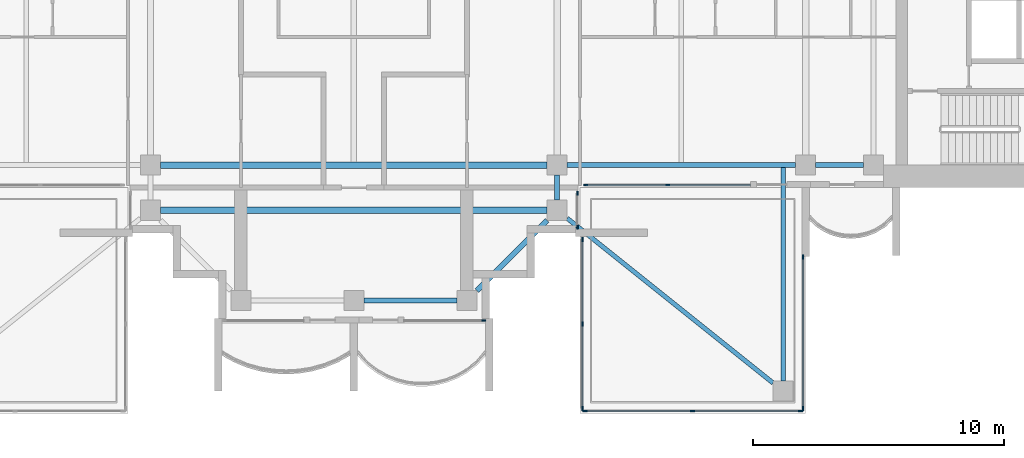
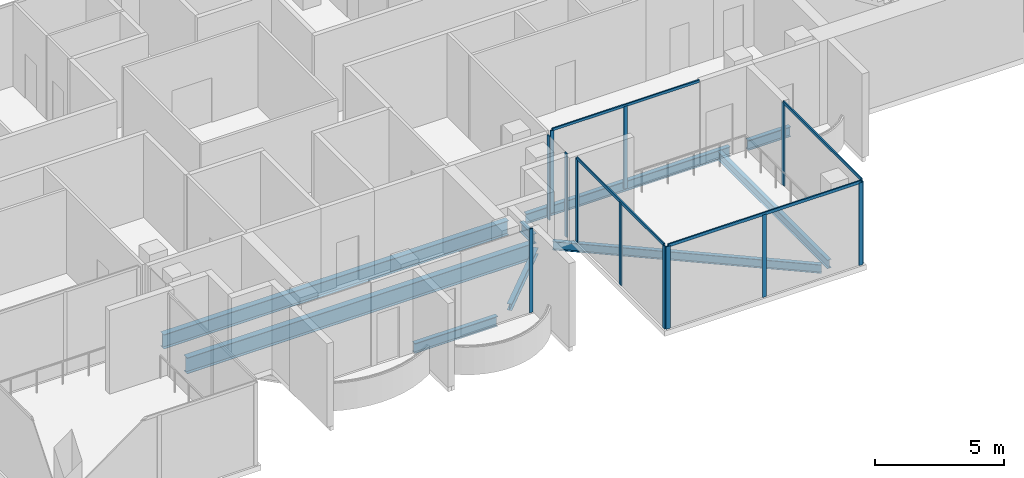
# One storey, part 3 of 16: 17 members, 9 beams, 6 elements without a shape of their own.
"""IFC4 building model written with IfcOpenShell, lengths in metres."""

from ifc_helpers import new_model, si_unit, direction, frame, origin, origin_2d, place, context, subcontext, project, spatial, rectangle, i_section, extrude, material, material_profile, profile_set, type_object, element, aggregate, save


model = new_model("IFC4")

# Units and contexts
model_context = context("Model", 3, precision=1e-05, world=origin(), true_north=direction((0.0, 1.0)))
body_context = subcontext(model_context, "Body", "Model", "MODEL_VIEW")
ifc_project = project(units=[si_unit("LENGTHUNIT", "METRE"), si_unit("AREAUNIT", "SQUARE_METRE"), si_unit("VOLUMEUNIT", "CUBIC_METRE"), si_unit("PLANEANGLEUNIT", "RADIAN"), si_unit("MASSUNIT", "GRAM", prefix="KILO")], contexts=[model_context])

# Site, building, storey
site_placement = place(None, origin())
site = spatial("IfcSite", under=ifc_project, at=site_placement, CompositionType="ELEMENT")
building_placement = place(site_placement, origin())
building = spatial("IfcBuilding", under=site, at=building_placement, Name="Perihelion Cross Residences", CompositionType="ELEMENT")
storey_placement = place(building_placement, frame((0.0, 0.0, 294.60009765625)))
storey = spatial("IfcBuildingStorey", under=building, at=storey_placement, Name="L75", CompositionType="ELEMENT", Elevation=294.60009765625)

# Curtain wall, member
ifc_material_1 = material(Name="Bronze anodised aluminium, tinted glazing", Category="aluminium")
curtain_wall_type_1 = type_object("IfcCurtainWallType", Name="CW1", PredefinedType="NOTDEFINED", material=ifc_material_1)
curtain_wall_1_placement = place(storey_placement, origin())
curtain_wall_1 = element("IfcCurtainWall", 1, at=curtain_wall_1_placement, inside=storey, type_object=curtain_wall_type_1, Name="Curtain wall CW1 L75 south tip south bay 2", PredefinedType="NOTDEFINED")
ifc_material_2 = material(Name="Bronze anodised aluminium", Category="aluminium")
ifc_material_profile_1 = material_profile(ifc_material_2, rectangle(XDim=0.06005859375, YDim=0.159912109375, at=origin_2d()), Name="CW1 mullion")
ifc_profile_set_1 = profile_set([ifc_material_profile_1], Name="Bronze anodised aluminium")
member_type_1 = type_object("IfcMemberType", Name="CW1 mullion", PredefinedType="MULLION", material=ifc_profile_set_1)
member_1_placement = place(storey_placement, frame((5.169921875, -14.300048828125, 0.0), z_axis=(0.0, 0.0, 1.0), x_axis=(0.0, 1.0, 0.0)))
member_1 = element("IfcMember", 2, at=member_1_placement, type_object=member_type_1, Name="CW1 mullion 2", PredefinedType="MULLION", context=body_context, shape_type="SweptSolid", body=[
    extrude(rectangle(XDim=0.06005859375, YDim=0.159912109375, at=origin_2d()), origin(), (0.0, 0.0, 1.0), 3.949951171875),
])
aggregate(curtain_wall_1, [member_1])

# Curtain wall, members
curtain_wall_2_placement = place(storey_placement, origin())
curtain_wall_2 = element("IfcCurtainWall", 3, at=curtain_wall_2_placement, inside=storey, type_object=curtain_wall_type_1, Name="Curtain wall CW1 L75 south side east bay 1", PredefinedType="NOTDEFINED")
member_2_placement = place(storey_placement, frame((8.89990234375, -10.570068359375, 0.0), z_axis=(0.0, 0.0, 1.0), x_axis=(-1.0, 0.0, 0.0)))
member_2 = element("IfcMember", 4, at=member_2_placement, type_object=member_type_1, Name="CW1 mullion 1", PredefinedType="MULLION", context=body_context, shape_type="SweptSolid", body=[
    extrude(rectangle(XDim=0.06005859375, YDim=0.159912109375, at=origin_2d()), origin(), (0.0, 0.0, 1.0), 3.949951171875),
])
member_3_placement = place(storey_placement, frame((8.89990234375, -9.22998046875, 0.0), z_axis=(0.0, 0.0, 1.0), x_axis=(-1.0, 0.0, 0.0)))
member_3 = element("IfcMember", 5, at=member_3_placement, type_object=member_type_1, Name="CW1 mullion 2", PredefinedType="MULLION", context=body_context, shape_type="SweptSolid", body=[
    extrude(rectangle(XDim=0.06005859375, YDim=0.159912109375, at=origin_2d()), origin(), (0.0, 0.0, 1.0), 3.949951171875),
])
aggregate(curtain_wall_2, [member_2, member_3])

curtain_wall_3_placement = place(storey_placement, origin())
curtain_wall_3 = element("IfcCurtainWall", 6, at=curtain_wall_3_placement, inside=storey, type_object=curtain_wall_type_1, Name="Curtain wall CW1 L75 east side south bay 1", PredefinedType="NOTDEFINED")
member_4_placement = place(storey_placement, frame((9.22998046875, -8.89990234375, 0.0), z_axis=(0.0, 0.0, 1.0), x_axis=(0.0, 1.0, 0.0)))
member_4 = element("IfcMember", 7, at=member_4_placement, type_object=member_type_1, Name="CW1 mullion 1", PredefinedType="MULLION", context=body_context, shape_type="SweptSolid", body=[
    extrude(rectangle(XDim=0.06005859375, YDim=0.159912109375, at=origin_2d()), origin(), (0.0, 0.0, 1.0), 3.889892578125),
])
member_5_placement = place(storey_placement, frame((12.5, -8.89990234375, 0.0), z_axis=(0.0, 0.0, 1.0), x_axis=(0.0, 1.0, 0.0)))
member_5 = element("IfcMember", 8, at=member_5_placement, type_object=member_type_1, Name="CW1 mullion 2", PredefinedType="MULLION", context=body_context, shape_type="SweptSolid", body=[
    extrude(rectangle(XDim=0.06005859375, YDim=0.159912109375, at=origin_2d()), origin(), (0.0, 0.0, 1.0), 3.889892578125),
])
ifc_material_3 = material(Name="Bronze anodised aluminium", Category="aluminium")
ifc_material_profile_2 = material_profile(ifc_material_3, rectangle(XDim=0.06005859375, YDim=0.1201171875, at=origin_2d()), Name="CW1 transom")
ifc_profile_set_2 = profile_set([ifc_material_profile_2], Name="Bronze anodised aluminium")
member_type_2 = type_object("IfcMemberType", Name="CW1 transom", PredefinedType="USERDEFINED", material=ifc_profile_set_2)
member_6_placement = place(storey_placement, frame((9.22998046875, -8.89990234375, 3.919921875), z_axis=(1.0, 0.0, 0.0), x_axis=(0.0, 1.0, 0.0)))
member_6 = element("IfcMember", 9, at=member_6_placement, type_object=member_type_2, Name="CW1 head transom", ObjectType="TRANSOM", PredefinedType="USERDEFINED", context=body_context, shape_type="SweptSolid", body=[
    extrude(rectangle(XDim=0.06005859375, YDim=0.1201171875, at=origin_2d()), origin(), (0.0, 0.0, 1.0), 6.570068359375),
])
aggregate(curtain_wall_3, [member_4, member_5, member_6])

ifc_material_4 = material(Name="Bronze anodised aluminium, tinted glazing", Category="aluminium")
curtain_wall_type_2 = type_object("IfcCurtainWallType", Name="CW4", PredefinedType="NOTDEFINED", material=ifc_material_4)
curtain_wall_4_placement = place(storey_placement, origin())
curtain_wall_4 = element("IfcCurtainWall", 10, at=curtain_wall_4_placement, inside=storey, type_object=curtain_wall_type_2, Name="Curtain wall CW4 L75 pocket south-east 1 1", PredefinedType="NOTDEFINED")
ifc_material_5 = material(Name="Bronze anodised aluminium", Category="aluminium")
ifc_material_profile_3 = material_profile(ifc_material_5, rectangle(XDim=0.06005859375, YDim=0.179931640625, at=origin_2d()), Name="CW4 mullion")
ifc_profile_set_3 = profile_set([ifc_material_profile_3], Name="Bronze anodised aluminium")
member_type_3 = type_object("IfcMemberType", Name="CW4 mullion", PredefinedType="MULLION", material=ifc_profile_set_3)
member_7_placement = place(storey_placement, frame((17.89990234375, -11.77001953125, 0.0), z_axis=(0.0, 0.0, 1.0), x_axis=(1.0, 0.0, 0.0)))
member_7 = element("IfcMember", 11, at=member_7_placement, type_object=member_type_3, Name="CW4 mullion 1", PredefinedType="MULLION", context=body_context, shape_type="SweptSolid", body=[
    extrude(rectangle(XDim=0.06005859375, YDim=0.179931640625, at=origin_2d()), origin(), (0.0, 0.0, 1.0), 3.889892578125),
])
member_8_placement = place(storey_placement, frame((17.89990234375, -17.800048828125, 0.0), z_axis=(0.0, 0.0, 1.0), x_axis=(1.0, 0.0, 0.0)))
member_8 = element("IfcMember", 12, at=member_8_placement, type_object=member_type_3, Name="CW4 mullion 2", PredefinedType="MULLION", context=body_context, shape_type="SweptSolid", body=[
    extrude(rectangle(XDim=0.06005859375, YDim=0.179931640625, at=origin_2d()), origin(), (0.0, 0.0, 1.0), 3.889892578125),
])

curtain_wall_5_placement = place(storey_placement, origin())
curtain_wall_5 = element("IfcCurtainWall", 13, at=curtain_wall_5_placement, inside=storey, type_object=curtain_wall_type_2, Name="Curtain wall CW4 L75 pocket south-east 1 2", PredefinedType="NOTDEFINED")
member_9_placement = place(storey_placement, frame((17.800048828125, -17.89990234375, 0.0), z_axis=(0.0, 0.0, 1.0), x_axis=(0.0, -1.0, 0.0)))
member_9 = element("IfcMember", 14, at=member_9_placement, type_object=member_type_3, Name="CW4 mullion 1", PredefinedType="MULLION", context=body_context, shape_type="SweptSolid", body=[
    extrude(rectangle(XDim=0.06005859375, YDim=0.179931640625, at=origin_2d()), origin(), (0.0, 0.0, 1.0), 3.889892578125),
])
member_10_placement = place(storey_placement, frame((13.5, -17.89990234375, 0.0), z_axis=(0.0, 0.0, 1.0), x_axis=(0.0, -1.0, 0.0)))
member_10 = element("IfcMember", 15, at=member_10_placement, type_object=member_type_3, Name="CW4 mullion 2", PredefinedType="MULLION", context=body_context, shape_type="SweptSolid", body=[
    extrude(rectangle(XDim=0.06005859375, YDim=0.179931640625, at=origin_2d()), origin(), (0.0, 0.0, 1.0), 3.889892578125),
])
member_11_placement = place(storey_placement, frame((9.199951171875, -17.89990234375, 0.0), z_axis=(0.0, 0.0, 1.0), x_axis=(0.0, -1.0, 0.0)))
member_11 = element("IfcMember", 16, at=member_11_placement, type_object=member_type_3, Name="CW4 mullion 3", PredefinedType="MULLION", context=body_context, shape_type="SweptSolid", body=[
    extrude(rectangle(XDim=0.06005859375, YDim=0.179931640625, at=origin_2d()), origin(), (0.0, 0.0, 1.0), 3.889892578125),
])

curtain_wall_6_placement = place(storey_placement, origin())
curtain_wall_6 = element("IfcCurtainWall", 17, at=curtain_wall_6_placement, inside=storey, type_object=curtain_wall_type_2, Name="Curtain wall CW4 L75 pocket south-east 1 3", PredefinedType="NOTDEFINED")
member_12_placement = place(storey_placement, frame((9.10009765625, -17.800048828125, 0.0), z_axis=(0.0, 0.0, 1.0), x_axis=(-1.0, 0.0, 0.0)))
member_12 = element("IfcMember", 18, at=member_12_placement, type_object=member_type_3, Name="CW4 mullion 1", PredefinedType="MULLION", context=body_context, shape_type="SweptSolid", body=[
    extrude(rectangle(XDim=0.06005859375, YDim=0.179931640625, at=origin_2d()), origin(), (0.0, 0.0, 1.0), 3.889892578125),
])
member_13_placement = place(storey_placement, frame((9.10009765625, -14.429443359375, 0.0), z_axis=(0.0, 0.0, 1.0), x_axis=(-1.0, 0.0, 0.0)))
member_13 = element("IfcMember", 19, at=member_13_placement, type_object=member_type_3, Name="CW4 mullion 2", PredefinedType="MULLION", context=body_context, shape_type="SweptSolid", body=[
    extrude(rectangle(XDim=0.06005859375, YDim=0.179931640625, at=origin_2d()), origin(), (0.0, 0.0, 1.0), 3.889892578125),
])
member_14_placement = place(storey_placement, frame((9.10009765625, -11.058837890625, 0.0), z_axis=(0.0, 0.0, 1.0), x_axis=(-1.0, 0.0, 0.0)))
member_14 = element("IfcMember", 20, at=member_14_placement, type_object=member_type_3, Name="CW4 mullion 3", PredefinedType="MULLION", context=body_context, shape_type="SweptSolid", body=[
    extrude(rectangle(XDim=0.06005859375, YDim=0.179931640625, at=origin_2d()), origin(), (0.0, 0.0, 1.0), 3.889892578125),
])

# Member
ifc_material_6 = material(Name="Bronze anodised aluminium", Category="aluminium")
ifc_material_profile_4 = material_profile(ifc_material_6, rectangle(XDim=0.06005859375, YDim=0.139892578125, at=origin_2d()), Name="CW4 transom")
ifc_profile_set_4 = profile_set([ifc_material_profile_4], Name="Bronze anodised aluminium")
member_type_4 = type_object("IfcMemberType", Name="CW4 transom", PredefinedType="USERDEFINED", material=ifc_profile_set_4)
member_15_placement = place(storey_placement, frame((17.89990234375, -11.77001953125, 3.919921875), z_axis=(0.0, -1.0, 0.0), x_axis=(1.0, 0.0, 0.0)))
member_15 = element("IfcMember", 21, at=member_15_placement, type_object=member_type_4, Name="CW4 head transom", ObjectType="TRANSOM", PredefinedType="USERDEFINED", context=body_context, shape_type="SweptSolid", body=[
    extrude(rectangle(XDim=0.06005859375, YDim=0.139892578125, at=origin_2d()), origin(), (0.0, 0.0, 1.0), 6.030029296875),
])

aggregate(curtain_wall_4, [member_7, member_8, member_15])

member_16_placement = place(storey_placement, frame((17.800048828125, -17.89990234375, 3.919921875), z_axis=(-1.0, 0.0, 0.0), x_axis=(0.0, -1.0, 0.0)))
member_16 = element("IfcMember", 22, at=member_16_placement, type_object=member_type_4, Name="CW4 head transom", ObjectType="TRANSOM", PredefinedType="USERDEFINED", context=body_context, shape_type="SweptSolid", body=[
    extrude(rectangle(XDim=0.06005859375, YDim=0.139892578125, at=origin_2d()), origin(), (0.0, 0.0, 1.0), 8.60009765625),
])

aggregate(curtain_wall_5, [member_9, member_10, member_11, member_16])

member_17_placement = place(storey_placement, frame((9.10009765625, -17.800048828125, 3.919921875), z_axis=(0.0, 1.0, 0.0), x_axis=(-1.0, 0.0, 0.0)))
member_17 = element("IfcMember", 23, at=member_17_placement, type_object=member_type_4, Name="CW4 head transom", ObjectType="TRANSOM", PredefinedType="USERDEFINED", context=body_context, shape_type="SweptSolid", body=[
    extrude(rectangle(XDim=0.06005859375, YDim=0.139892578125, at=origin_2d()), origin(), (0.0, 0.0, 1.0), 6.7412109375),
])

aggregate(curtain_wall_6, [member_12, member_13, member_14, member_17])

# Beams
ifc_material_7 = material(Name="Steel S355", Category="steel")
ifc_material_profile_5 = material_profile(ifc_material_7, i_section(OverallWidth=0.177978515625, OverallDepth=0.406005859375, WebThickness=0.0078125, FlangeThickness=0.0126953125, at=origin_2d()), Name="W410x60")
ifc_profile_set_5 = profile_set([ifc_material_profile_5], Name="Steel S355")
beam_type_1 = type_object("IfcBeamType", Name="Core edge beam W410x60", PredefinedType="BEAM", material=ifc_profile_set_5)
beam_1_placement = place(storey_placement, frame((17.10009765625, -8.197021484375, -0.453125), z_axis=(0.0, -1.0, 0.0), x_axis=(1.0, 0.0, 0.0)))
element("IfcBeam", 24, at=beam_1_placement, inside=storey, type_object=beam_type_1, Name="Core edge beam TB2 L75 corner no. 3", PredefinedType="BEAM", context=body_context, shape_type="SweptSolid", body=[
    extrude(i_section(OverallWidth=0.177978515625, OverallDepth=0.406005859375, WebThickness=0.0078125, FlangeThickness=0.0126953125, at=origin_2d()), origin(), (0.0, 0.0, 1.0), 8.5029296875),
])
beam_2_placement = place(storey_placement, frame((8.5, -10.219970703125, -0.453125), z_axis=(0.780864273032, -0.624700718027, 0.0), x_axis=(0.624700718027, 0.780864273032, 0.0)))
element("IfcBeam", 25, at=beam_2_placement, inside=storey, type_object=beam_type_1, Name="Core edge beam TB2 L75 corner no. 4", PredefinedType="BEAM", context=body_context, shape_type="SweptSolid", body=[
    extrude(i_section(OverallWidth=0.177978515625, OverallDepth=0.406005859375, WebThickness=0.0078125, FlangeThickness=0.0126953125, at=origin_2d()), origin(), (0.0, 0.0, 1.0), 10.501220703125),
])
ifc_material_8 = material(Name="Steel S355", Category="steel")
ifc_material_profile_6 = material_profile(ifc_material_8, i_section(OverallWidth=0.194091796875, OverallDepth=0.469970703125, WebThickness=0.0126953125, FlangeThickness=0.0205078125, at=origin_2d()), Name="W460x106")
ifc_profile_set_6 = profile_set([ifc_material_profile_6], Name="Steel S355")
beam_type_2 = type_object("IfcBeamType", Name="Edge beam W460x106", PredefinedType="SPANDREL", material=ifc_profile_set_6)
beam_3_placement = place(storey_placement, frame((0.39990234375, -13.5, -0.485107421875), z_axis=(1.0, 0.0, 0.0), x_axis=(0.0, 1.0, 0.0)))
element("IfcBeam", 26, at=beam_3_placement, inside=storey, type_object=beam_type_2, Name="Edge beam SB5 L75 no. 7", PredefinedType="SPANDREL", context=body_context, shape_type="SweptSolid", body=[
    extrude(i_section(OverallWidth=0.194091796875, OverallDepth=0.469970703125, WebThickness=0.0126953125, FlangeThickness=0.0205078125, at=origin_2d()), origin(), (0.0, 0.0, 1.0), 3.7001953125),
])
beam_4_placement = place(storey_placement, frame((8.10009765625, -9.5, -0.485107421875), z_axis=(0.0, 1.0, 0.0), x_axis=(-1.0, 0.0, 0.0)))
element("IfcBeam", 27, at=beam_4_placement, inside=storey, type_object=beam_type_2, Name="Edge beam SB5 L75 no. 12", PredefinedType="SPANDREL", context=body_context, shape_type="SweptSolid", body=[
    extrude(i_section(OverallWidth=0.194091796875, OverallDepth=0.469970703125, WebThickness=0.0126953125, FlangeThickness=0.0205078125, at=origin_2d()), origin(), (0.0, 0.0, 1.0), 1.0),
])
beam_5_placement = place(storey_placement, frame((8.5, -8.10009765625, -0.485107421875), z_axis=(1.0, 0.0, 0.0), x_axis=(0.0, 1.0, 0.0)))
element("IfcBeam", 28, at=beam_5_placement, inside=storey, type_object=beam_type_2, Name="Edge beam SB5 L75 no. 11", PredefinedType="SPANDREL", context=body_context, shape_type="SweptSolid", body=[
    extrude(i_section(OverallWidth=0.194091796875, OverallDepth=0.469970703125, WebThickness=0.0126953125, FlangeThickness=0.0205078125, at=origin_2d()), origin(), (0.0, 0.0, 1.0), 9.10009765625),
])
beam_6_placement = place(storey_placement, frame((18.39990234375, -8.10009765625, -0.485107421875), z_axis=(1.0, 0.0, 0.0), x_axis=(0.0, 1.0, 0.0)))
element("IfcBeam", 29, at=beam_6_placement, inside=storey, type_object=beam_type_2, Name="Edge beam SB5 L75 no. 8", PredefinedType="SPANDREL", context=body_context, shape_type="SweptSolid", body=[
    extrude(i_section(OverallWidth=0.194091796875, OverallDepth=0.469970703125, WebThickness=0.0126953125, FlangeThickness=0.0205078125, at=origin_2d()), origin(), (0.0, 0.0, 1.0), 1.900146484375),
])
ifc_material_9 = material(Name="Steel S355", Category="steel")
ifc_material_profile_7 = material_profile(ifc_material_9, i_section(OverallWidth=0.26708984375, OverallDepth=0.75390625, WebThickness=0.01318359375, FlangeThickness=0.01708984375, at=origin_2d()), Name="W760x147")
ifc_profile_set_7 = profile_set([ifc_material_profile_7], Name="Steel S355")
beam_type_3 = type_object("IfcBeamType", Name="Floor girder W760x147", PredefinedType="BEAM", material=ifc_profile_set_7)
beam_7_placement = place(storey_placement, frame((-7.699951171875, -9.89990234375, -0.627197265625), z_axis=(1.0, 0.0, 0.0), x_axis=(0.0, 1.0, 0.0)))
element("IfcBeam", 30, at=beam_7_placement, inside=storey, type_object=beam_type_3, Name="Girder G5 L75 no. 3", PredefinedType="BEAM", context=body_context, shape_type="SweptSolid", body=[
    extrude(i_section(OverallWidth=0.26708984375, OverallDepth=0.75390625, WebThickness=0.01318359375, FlangeThickness=0.01708984375, at=origin_2d()), origin(), (0.0, 0.0, 1.0), 15.39990234375),
])
ifc_material_10 = material(Name="Steel S355", Category="steel")
ifc_material_profile_8 = material_profile(ifc_material_10, i_section(OverallWidth=0.25390625, OverallDepth=0.677978515625, WebThickness=0.01171875, FlangeThickness=0.016357421875, at=origin_2d()), Name="W690x125")
ifc_profile_set_8 = profile_set([ifc_material_profile_8], Name="Steel S355")
beam_type_4 = type_object("IfcBeamType", Name="Hub ring girder W690x125", PredefinedType="BEAM", material=ifc_profile_set_8)
beam_8_placement = place(storey_placement, frame((-7.699951171875, -8.10009765625, -0.589111328125), z_axis=(1.0, 0.0, 0.0), x_axis=(0.0, 1.0, 0.0)))
element("IfcBeam", 31, at=beam_8_placement, inside=storey, type_object=beam_type_4, Name="Hub ring girder RG5 L75 no. 1", PredefinedType="BEAM", context=body_context, shape_type="SweptSolid", body=[
    extrude(i_section(OverallWidth=0.25390625, OverallDepth=0.677978515625, WebThickness=0.01171875, FlangeThickness=0.016357421875, at=origin_2d()), origin(), (0.0, 0.0, 1.0), 15.39990234375),
])
ifc_material_11 = material(Name="Steel S355", Category="steel")
ifc_material_profile_9 = material_profile(ifc_material_11, i_section(OverallWidth=0.202880859375, OverallDepth=0.302001953125, WebThickness=0.007568359375, FlangeThickness=0.01318359375, at=origin_2d()), Name="W310x60")
ifc_profile_set_9 = profile_set([ifc_material_profile_9], Name="Steel S355")
beam_type_5 = type_object("IfcBeamType", Name="Serration edge beam W310x60", PredefinedType="BEAM", material=ifc_profile_set_9)
beam_9_placement = place(storey_placement, frame((4.89990234375, -13.10009765625, -0.401123046875), z_axis=(0.707106781187, 0.707106781187, 0.0), x_axis=(-0.707106781187, 0.707106781187, 0.0)))
element("IfcBeam", 32, at=beam_9_placement, inside=storey, type_object=beam_type_5, Name="Serration edge beam EB5 L75 no. 2", PredefinedType="BEAM", context=body_context, shape_type="SweptSolid", body=[
    extrude(i_section(OverallWidth=0.202880859375, OverallDepth=0.302001953125, WebThickness=0.007568359375, FlangeThickness=0.01318359375, at=origin_2d()), origin(), (0.0, 0.0, 1.0), 3.9599609375),
])

save(model, "model.ifc")
